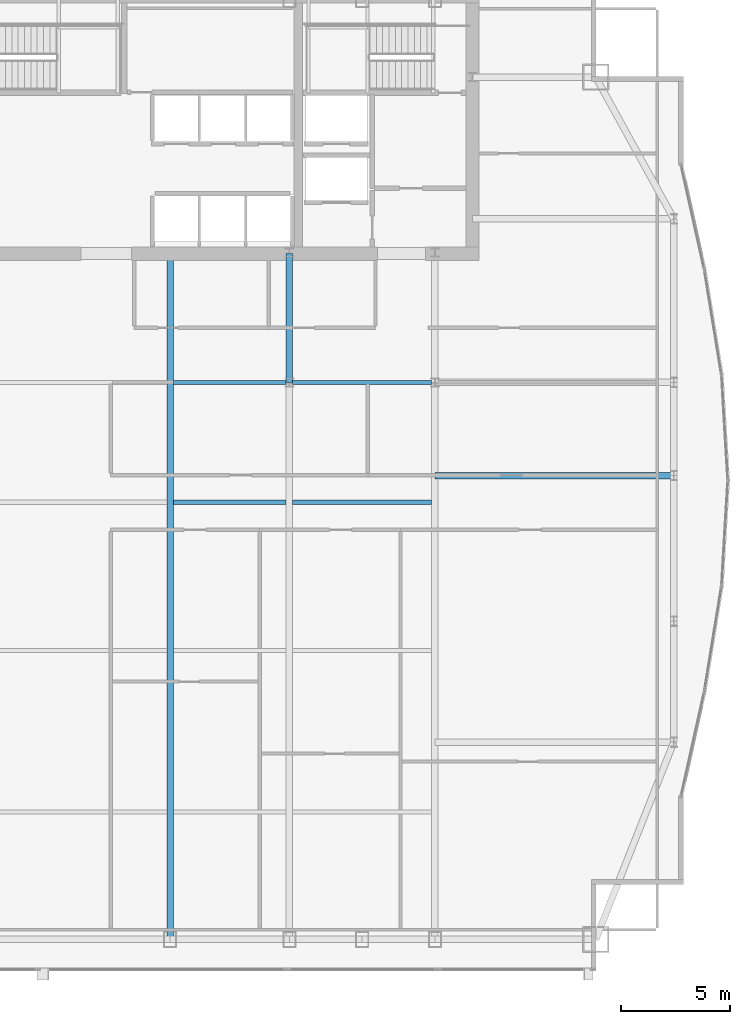
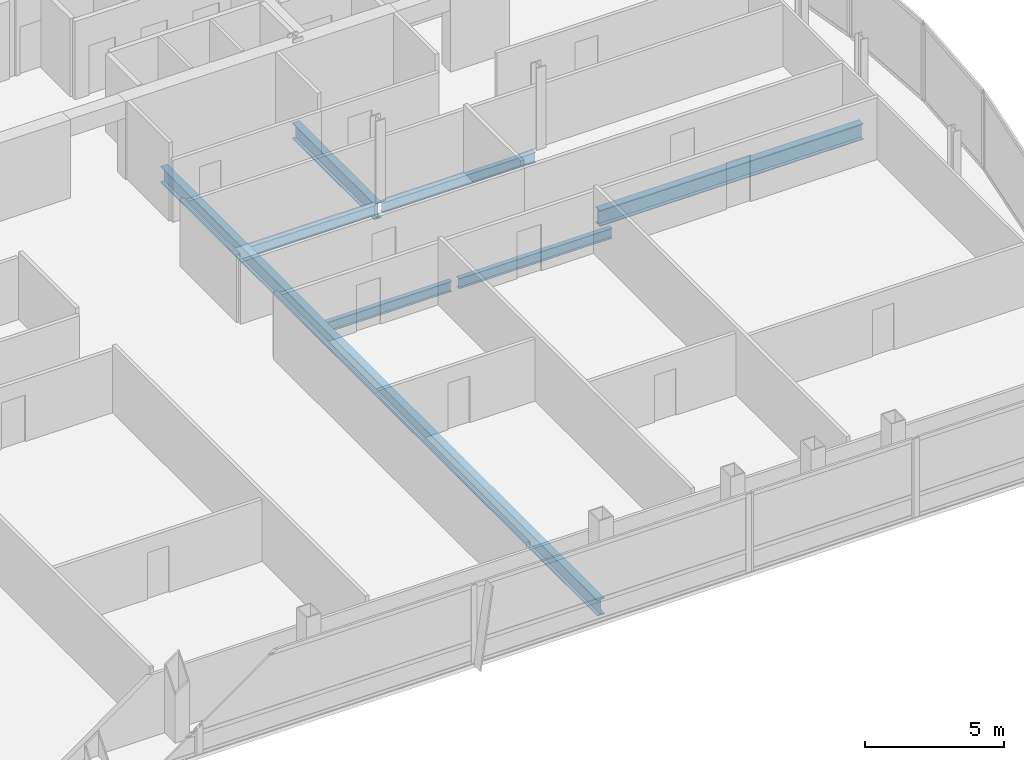
# One storey, part 17 of 30: 7 beams.
"""IFC4 building model written with IfcOpenShell, lengths in metres."""

from ifc_helpers import new_model, si_unit, direction, frame, origin, origin_2d, place, context, subcontext, project, spatial, i_section, extrude, material, material_profile, profile_set, type_object, element, save


model = new_model("IFC4")

# Units and contexts
model_context = context("Model", 3, precision=1e-05, world=origin(), true_north=direction((0.0, 1.0)))
body_context = subcontext(model_context, "Body", "Model", "MODEL_VIEW")
ifc_project = project(units=[si_unit("LENGTHUNIT", "METRE"), si_unit("AREAUNIT", "SQUARE_METRE"), si_unit("VOLUMEUNIT", "CUBIC_METRE"), si_unit("PLANEANGLEUNIT", "RADIAN"), si_unit("MASSUNIT", "GRAM", prefix="KILO")], contexts=[model_context])

# Site, building, storey
site_placement = place(None, origin())
site = spatial("IfcSite", under=ifc_project, at=site_placement, CompositionType="ELEMENT")
building_placement = place(site_placement, origin())
building = spatial("IfcBuilding", under=site, at=building_placement, Name="Khoronbel Lancet Exchange", CompositionType="ELEMENT")
storey_placement = place(building_placement, frame((0.0, 0.0, 213.800048828125)))
storey = spatial("IfcBuildingStorey", under=building, at=storey_placement, Name="L54", CompositionType="ELEMENT", Elevation=213.800048828125)

# Beams
ifc_material = material(Name="Steel S355", Category="steel")
ifc_material_profile_1 = material_profile(ifc_material, i_section(OverallWidth=0.300048828125, OverallDepth=0.699951171875, WebThickness=0.01708984375, FlangeThickness=0.031982421875, at=origin_2d()), Name="HEB 700")
ifc_profile_set_1 = profile_set([ifc_material_profile_1], Name="Steel S355")
beam_type_1 = type_object("IfcBeamType", Name="BM-BG3", PredefinedType="BEAM", material=ifc_profile_set_1)
beam_1_placement = place(storey_placement, frame((42.52490234375, 10.14990234375, -0.510009765625), z_axis=(0.0, 1.0, 0.0), x_axis=(-1.0, 0.0, 0.0)))
element("IfcBeam", 1, at=beam_1_placement, inside=storey, type_object=beam_type_1, Name="Level L54 primary floor girder G4", PredefinedType="BEAM", context=body_context, shape_type="SweptSolid", body=[
    extrude(i_section(OverallWidth=0.300048828125, OverallDepth=0.699951171875, WebThickness=0.01708984375, FlangeThickness=0.031982421875, at=origin_2d()), origin(), (0.0, 0.0, 1.0), 31.4501953125),
])
beam_2_placement = place(storey_placement, frame((48.0, 35.699951171875, -0.510009765625), z_axis=(0.0, 1.0, 0.0), x_axis=(-1.0, 0.0, 0.0)))
element("IfcBeam", 2, at=beam_2_placement, inside=storey, type_object=beam_type_1, Name="Level L54 spine tie girder GN5", PredefinedType="BEAM", context=body_context, shape_type="SweptSolid", body=[
    extrude(i_section(OverallWidth=0.300048828125, OverallDepth=0.699951171875, WebThickness=0.01708984375, FlangeThickness=0.031982421875, at=origin_2d()), origin(), (0.0, 0.0, 1.0), 5.900146484375),
])
beam_3_placement = place(storey_placement, frame((54.675048828125, 31.425048828125, -0.510009765625), z_axis=(1.0, 0.0, 0.0), x_axis=(0.0, 1.0, 0.0)))
element("IfcBeam", 3, at=beam_3_placement, inside=storey, type_object=beam_type_1, Name="Level L54 east lens tie girder LG2E", PredefinedType="BEAM", context=body_context, shape_type="SweptSolid", body=[
    extrude(i_section(OverallWidth=0.300048828125, OverallDepth=0.699951171875, WebThickness=0.01708984375, FlangeThickness=0.031982421875, at=origin_2d()), origin(), (0.0, 0.0, 1.0), 10.954833984375),
])
ifc_material_profile_2 = material_profile(ifc_material, i_section(OverallWidth=0.18994140625, OverallDepth=0.449951171875, WebThickness=0.009521484375, FlangeThickness=0.0146484375, at=origin_2d()), Name="IPE 450")
ifc_profile_set_2 = profile_set([ifc_material_profile_2], Name="Steel S355")
beam_type_2 = type_object("IfcBeamType", Name="BM-BJ4", PredefinedType="JOIST", material=ifc_profile_set_2)
beam_4_placement = place(storey_placement, frame((42.675048828125, 30.199951171875, -0.385009765625), z_axis=(1.0, 0.0, 0.0), x_axis=(0.0, 1.0, 0.0)))
element("IfcBeam", 4, at=beam_4_placement, inside=storey, type_object=beam_type_2, Name="Level L54 secondary composite joist J14", PredefinedType="JOIST", context=body_context, shape_type="SweptSolid", body=[
    extrude(i_section(OverallWidth=0.18994140625, OverallDepth=0.449951171875, WebThickness=0.009521484375, FlangeThickness=0.0146484375, at=origin_2d()), origin(), (0.0, 0.0, 1.0), 5.175048828125),
])
beam_5_placement = place(storey_placement, frame((48.14990234375, 30.199951171875, -0.385009765625), z_axis=(1.0, 0.0, 0.0), x_axis=(0.0, 1.0, 0.0)))
element("IfcBeam", 5, at=beam_5_placement, inside=storey, type_object=beam_type_2, Name="Level L54 secondary composite joist J15", PredefinedType="JOIST", context=body_context, shape_type="SweptSolid", body=[
    extrude(i_section(OverallWidth=0.18994140625, OverallDepth=0.449951171875, WebThickness=0.009521484375, FlangeThickness=0.0146484375, at=origin_2d()), origin(), (0.0, 0.0, 1.0), 6.375),
])
beam_6_placement = place(storey_placement, frame((42.675048828125, 35.699951171875, -0.385009765625), z_axis=(1.0, 0.0, 0.0), x_axis=(0.0, 1.0, 0.0)))
element("IfcBeam", 6, at=beam_6_placement, inside=storey, type_object=beam_type_2, Name="Level L54 secondary composite joist J19", PredefinedType="JOIST", context=body_context, shape_type="SweptSolid", body=[
    extrude(i_section(OverallWidth=0.18994140625, OverallDepth=0.449951171875, WebThickness=0.009521484375, FlangeThickness=0.0146484375, at=origin_2d()), origin(), (0.0, 0.0, 1.0), 5.175048828125),
])
beam_7_placement = place(storey_placement, frame((48.14990234375, 35.699951171875, -0.385009765625), z_axis=(1.0, 0.0, 0.0), x_axis=(0.0, 1.0, 0.0)))
element("IfcBeam", 7, at=beam_7_placement, inside=storey, type_object=beam_type_2, Name="Level L54 secondary composite joist J20", PredefinedType="JOIST", context=body_context, shape_type="SweptSolid", body=[
    extrude(i_section(OverallWidth=0.18994140625, OverallDepth=0.449951171875, WebThickness=0.009521484375, FlangeThickness=0.0146484375, at=origin_2d()), origin(), (0.0, 0.0, 1.0), 6.375),
])

save(model, "model.ifc")
